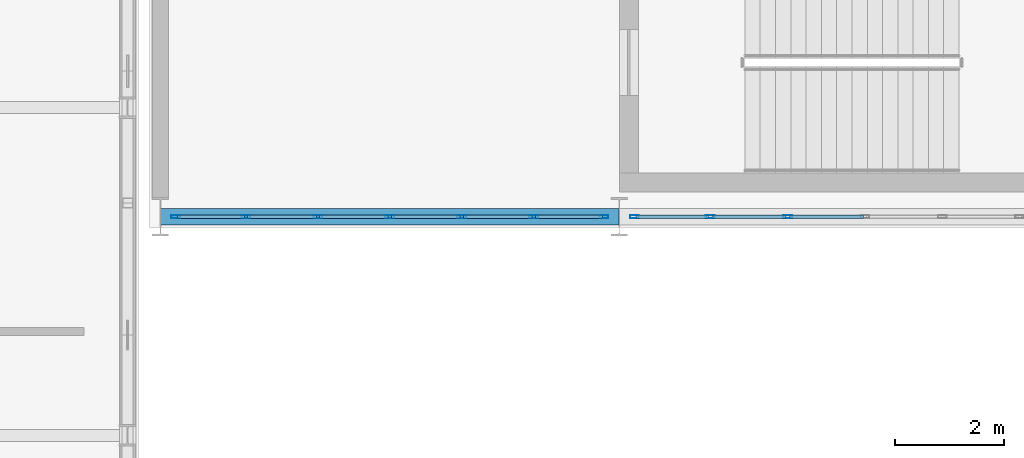
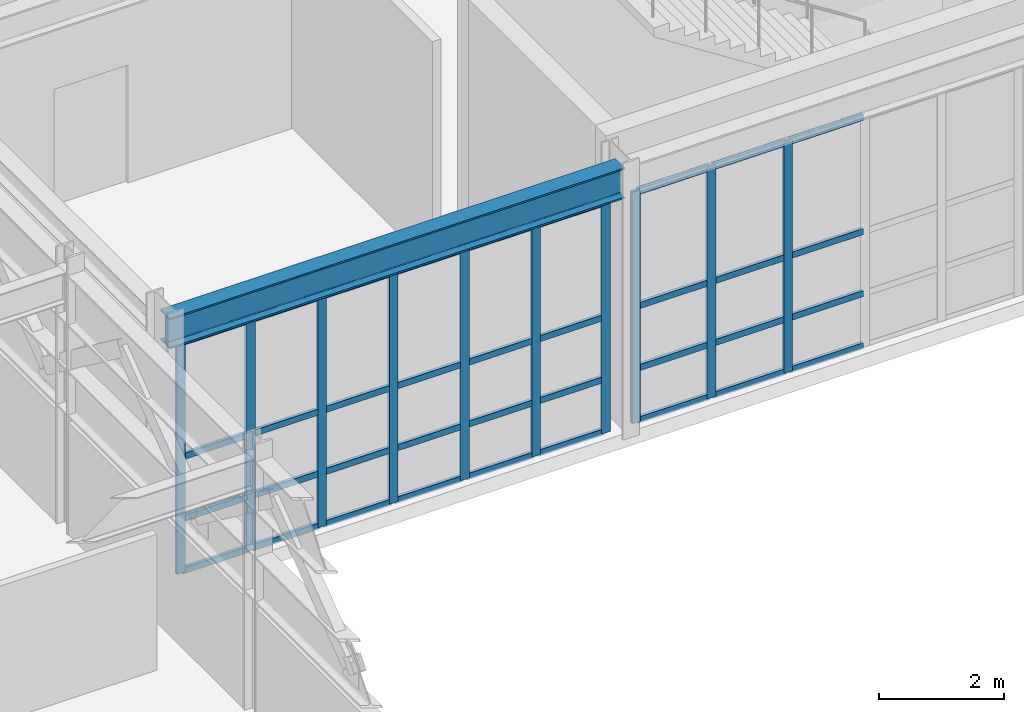
# One storey, part 55 of 210: 46 members, 1 beam, 2 elements without a shape of their own.
"""IFC4 building model written with IfcOpenShell, lengths in metres."""

from ifc_helpers import new_model, si_unit, direction, frame, origin, origin_2d, place, context, subcontext, project, spatial, hollow_rectangle, i_section, extrude, material, material_profile, profile_set, type_object, element, aggregate, save


model = new_model("IFC4")

# Units and contexts
model_context = context("Model", 3, precision=1e-05, world=origin(), true_north=direction((0.0, 1.0)))
body_context = subcontext(model_context, "Body", "Model", "MODEL_VIEW")
ifc_project = project(units=[si_unit("LENGTHUNIT", "METRE"), si_unit("AREAUNIT", "SQUARE_METRE"), si_unit("VOLUMEUNIT", "CUBIC_METRE"), si_unit("PLANEANGLEUNIT", "RADIAN"), si_unit("MASSUNIT", "GRAM", prefix="KILO")], contexts=[model_context])

# Site, building, storey
site_placement = place(None, origin())
site = spatial("IfcSite", under=ifc_project, at=site_placement, CompositionType="ELEMENT")
building_placement = place(site_placement, origin())
building = spatial("IfcBuilding", under=site, at=building_placement, Name="Kaldris Quays Convention Centre", CompositionType="ELEMENT")
storey_placement = place(building_placement, frame((0.0, 0.0, 6.0)))
storey = spatial("IfcBuildingStorey", under=building, at=storey_placement, Name="L01", CompositionType="ELEMENT", Elevation=6.0)

# Curtain wall, members
ifc_material_1 = material(Name="Anodized aluminium AW-6060 and triple glazing", Category="aluminium")
curtain_wall_type = type_object("IfcCurtainWallType", Name="UNITISED CURTAIN WALL CW04", PredefinedType="NOTDEFINED", material=ifc_material_1)
curtain_wall_1_placement = place(storey_placement, origin())
curtain_wall_1 = element("IfcCurtainWall", 1, at=curtain_wall_1_placement, inside=storey, type_object=curtain_wall_type, Name="L01 Unitised Curtain Wall CW04 107", PredefinedType="NOTDEFINED")
ifc_material_2 = material(Name="Anodized aluminium AW-6060", Category="aluminium")
ifc_material_profile_1 = material_profile(ifc_material_2, hollow_rectangle(XDim=0.06005859375, YDim=0.159912109375, WallThickness=0.00390625, at=origin_2d()), Name="RHS 160x60x4")
ifc_profile_set_1 = profile_set([ifc_material_profile_1], Name="Anodized aluminium AW-6060")
member_type_1 = type_object("IfcMemberType", Name="CURTAIN MULLION CWM1", PredefinedType="MULLION", material=ifc_profile_set_1)
member_1_placement = place(storey_placement, frame((83.8798828125, 38.0, 0.0), z_axis=(0.0, 0.0, 1.0), x_axis=(0.0, 1.0, 0.0)))
member_1 = element("IfcMember", 2, at=member_1_placement, type_object=member_type_1, Name="CW04 mullion 1", PredefinedType="MULLION", context=body_context, shape_type="SweptSolid", body=[
    extrude(hollow_rectangle(XDim=0.06005859375, YDim=0.159912109375, WallThickness=0.00390625, at=origin_2d()), origin(), (0.0, 0.0, 1.0), 4.51806640625),
])
member_2_placement = place(storey_placement, frame((85.166748046875, 38.0, 0.0), z_axis=(0.0, 0.0, 1.0), x_axis=(0.0, 1.0, 0.0)))
member_2 = element("IfcMember", 3, at=member_2_placement, type_object=member_type_1, Name="CW04 mullion 2", PredefinedType="MULLION", context=body_context, shape_type="SweptSolid", body=[
    extrude(hollow_rectangle(XDim=0.06005859375, YDim=0.159912109375, WallThickness=0.00390625, at=origin_2d()), origin(), (0.0, 0.0, 1.0), 4.51806640625),
])
member_3_placement = place(storey_placement, frame((86.4833984375, 38.0, 0.0), z_axis=(0.0, 0.0, 1.0), x_axis=(0.0, 1.0, 0.0)))
member_3 = element("IfcMember", 4, at=member_3_placement, type_object=member_type_1, Name="CW04 mullion 3", PredefinedType="MULLION", context=body_context, shape_type="SweptSolid", body=[
    extrude(hollow_rectangle(XDim=0.06005859375, YDim=0.159912109375, WallThickness=0.00390625, at=origin_2d()), origin(), (0.0, 0.0, 1.0), 4.51806640625),
])
member_4_placement = place(storey_placement, frame((87.800048828125, 38.0, 0.0), z_axis=(0.0, 0.0, 1.0), x_axis=(0.0, 1.0, 0.0)))
member_4 = element("IfcMember", 5, at=member_4_placement, type_object=member_type_1, Name="CW04 mullion 4", PredefinedType="MULLION", context=body_context, shape_type="SweptSolid", body=[
    extrude(hollow_rectangle(XDim=0.06005859375, YDim=0.159912109375, WallThickness=0.00390625, at=origin_2d()), origin(), (0.0, 0.0, 1.0), 4.51806640625),
])
member_5_placement = place(storey_placement, frame((89.11669921875, 38.0, 0.0), z_axis=(0.0, 0.0, 1.0), x_axis=(0.0, 1.0, 0.0)))
member_5 = element("IfcMember", 6, at=member_5_placement, type_object=member_type_1, Name="CW04 mullion 5", PredefinedType="MULLION", context=body_context, shape_type="SweptSolid", body=[
    extrude(hollow_rectangle(XDim=0.06005859375, YDim=0.159912109375, WallThickness=0.00390625, at=origin_2d()), origin(), (0.0, 0.0, 1.0), 4.51806640625),
])
member_6_placement = place(storey_placement, frame((90.433349609375, 38.0, 0.0), z_axis=(0.0, 0.0, 1.0), x_axis=(0.0, 1.0, 0.0)))
member_6 = element("IfcMember", 7, at=member_6_placement, type_object=member_type_1, Name="CW04 mullion 6", PredefinedType="MULLION", context=body_context, shape_type="SweptSolid", body=[
    extrude(hollow_rectangle(XDim=0.06005859375, YDim=0.159912109375, WallThickness=0.00390625, at=origin_2d()), origin(), (0.0, 0.0, 1.0), 4.51806640625),
])
member_7_placement = place(storey_placement, frame((91.719970703125, 38.0, 0.0), z_axis=(0.0, 0.0, 1.0), x_axis=(0.0, 1.0, 0.0)))
member_7 = element("IfcMember", 8, at=member_7_placement, type_object=member_type_1, Name="CW04 mullion 7", PredefinedType="MULLION", context=body_context, shape_type="SweptSolid", body=[
    extrude(hollow_rectangle(XDim=0.06005859375, YDim=0.159912109375, WallThickness=0.00390625, at=origin_2d()), origin(), (0.0, 0.0, 1.0), 4.51806640625),
])

curtain_wall_2_placement = place(storey_placement, origin())
curtain_wall_2 = element("IfcCurtainWall", 9, at=curtain_wall_2_placement, inside=storey, type_object=curtain_wall_type, Name="L01 Unitised Curtain Wall CW04 108", PredefinedType="NOTDEFINED")
member_8_placement = place(storey_placement, frame((92.280029296875, 38.0, 0.0), z_axis=(0.0, 0.0, 1.0), x_axis=(0.0, 1.0, 0.0)))
member_8 = element("IfcMember", 10, at=member_8_placement, type_object=member_type_1, Name="CW04 mullion 1", PredefinedType="MULLION", context=body_context, shape_type="SweptSolid", body=[
    extrude(hollow_rectangle(XDim=0.06005859375, YDim=0.159912109375, WallThickness=0.00390625, at=origin_2d()), origin(), (0.0, 0.0, 1.0), 4.51806640625),
])
member_9_placement = place(storey_placement, frame((93.666748046875, 38.0, 0.0), z_axis=(0.0, 0.0, 1.0), x_axis=(0.0, 1.0, 0.0)))
member_9 = element("IfcMember", 11, at=member_9_placement, type_object=member_type_1, Name="CW04 mullion 2", PredefinedType="MULLION", context=body_context, shape_type="SweptSolid", body=[
    extrude(hollow_rectangle(XDim=0.06005859375, YDim=0.159912109375, WallThickness=0.00390625, at=origin_2d()), origin(), (0.0, 0.0, 1.0), 4.51806640625),
])
member_10_placement = place(storey_placement, frame((95.083251953125, 38.0, 0.0), z_axis=(0.0, 0.0, 1.0), x_axis=(0.0, 1.0, 0.0)))
member_10 = element("IfcMember", 12, at=member_10_placement, type_object=member_type_1, Name="CW04 mullion 3", PredefinedType="MULLION", context=body_context, shape_type="SweptSolid", body=[
    extrude(hollow_rectangle(XDim=0.06005859375, YDim=0.159912109375, WallThickness=0.00390625, at=origin_2d()), origin(), (0.0, 0.0, 1.0), 4.51806640625),
])

# Member
ifc_material_profile_2 = material_profile(ifc_material_2, hollow_rectangle(XDim=0.06005859375, YDim=0.1201171875, WallThickness=0.00390625, at=origin_2d()), Name="RHS 120x60x4")
ifc_profile_set_2 = profile_set([ifc_material_profile_2], Name="Anodized aluminium AW-6060")
member_type_2 = type_object("IfcMemberType", Name="CURTAIN TRANSOM CWT1", PredefinedType="USERDEFINED", material=ifc_profile_set_2)
member_11_placement = place(storey_placement, frame((83.909912109375, 38.0, 0.030029296875), z_axis=(1.0, 0.0, 0.0), x_axis=(0.0, 1.0, 0.0)))
member_11 = element("IfcMember", 13, at=member_11_placement, type_object=member_type_2, Name="CW04 transom 1.1", ObjectType="TRANSOM", PredefinedType="USERDEFINED", context=body_context, shape_type="SweptSolid", body=[
    extrude(hollow_rectangle(XDim=0.06005859375, YDim=0.1201171875, WallThickness=0.00390625, at=origin_2d()), origin(), (0.0, 0.0, 1.0), 1.226806640625),
])

member_12_placement = place(storey_placement, frame((83.909912109375, 38.0, 1.050048828125), z_axis=(1.0, 0.0, 0.0), x_axis=(0.0, 1.0, 0.0)))
member_12 = element("IfcMember", 14, at=member_12_placement, type_object=member_type_2, Name="CW04 transom 1.2", ObjectType="TRANSOM", PredefinedType="USERDEFINED", context=body_context, shape_type="SweptSolid", body=[
    extrude(hollow_rectangle(XDim=0.06005859375, YDim=0.1201171875, WallThickness=0.00390625, at=origin_2d()), origin(), (0.0, 0.0, 1.0), 1.226806640625),
])

member_13_placement = place(storey_placement, frame((83.909912109375, 38.0, 2.259033203125), z_axis=(1.0, 0.0, 0.0), x_axis=(0.0, 1.0, 0.0)))
member_13 = element("IfcMember", 15, at=member_13_placement, type_object=member_type_2, Name="CW04 transom 1.3", ObjectType="TRANSOM", PredefinedType="USERDEFINED", context=body_context, shape_type="SweptSolid", body=[
    extrude(hollow_rectangle(XDim=0.06005859375, YDim=0.1201171875, WallThickness=0.00390625, at=origin_2d()), origin(), (0.0, 0.0, 1.0), 1.226806640625),
])

member_14_placement = place(storey_placement, frame((83.909912109375, 38.0, 4.488037109375), z_axis=(1.0, 0.0, 0.0), x_axis=(0.0, 1.0, 0.0)))
member_14 = element("IfcMember", 16, at=member_14_placement, type_object=member_type_2, Name="CW04 transom 1.4", ObjectType="TRANSOM", PredefinedType="USERDEFINED", context=body_context, shape_type="SweptSolid", body=[
    extrude(hollow_rectangle(XDim=0.06005859375, YDim=0.1201171875, WallThickness=0.00390625, at=origin_2d()), origin(), (0.0, 0.0, 1.0), 1.226806640625),
])

member_15_placement = place(storey_placement, frame((85.19677734375, 38.0, 0.030029296875), z_axis=(1.0, 0.0, 0.0), x_axis=(0.0, 1.0, 0.0)))
member_15 = element("IfcMember", 17, at=member_15_placement, type_object=member_type_2, Name="CW04 transom 2.1", ObjectType="TRANSOM", PredefinedType="USERDEFINED", context=body_context, shape_type="SweptSolid", body=[
    extrude(hollow_rectangle(XDim=0.06005859375, YDim=0.1201171875, WallThickness=0.00390625, at=origin_2d()), origin(), (0.0, 0.0, 1.0), 1.256591796875),
])

member_16_placement = place(storey_placement, frame((85.19677734375, 38.0, 1.050048828125), z_axis=(1.0, 0.0, 0.0), x_axis=(0.0, 1.0, 0.0)))
member_16 = element("IfcMember", 18, at=member_16_placement, type_object=member_type_2, Name="CW04 transom 2.2", ObjectType="TRANSOM", PredefinedType="USERDEFINED", context=body_context, shape_type="SweptSolid", body=[
    extrude(hollow_rectangle(XDim=0.06005859375, YDim=0.1201171875, WallThickness=0.00390625, at=origin_2d()), origin(), (0.0, 0.0, 1.0), 1.256591796875),
])

member_17_placement = place(storey_placement, frame((85.19677734375, 38.0, 2.259033203125), z_axis=(1.0, 0.0, 0.0), x_axis=(0.0, 1.0, 0.0)))
member_17 = element("IfcMember", 19, at=member_17_placement, type_object=member_type_2, Name="CW04 transom 2.3", ObjectType="TRANSOM", PredefinedType="USERDEFINED", context=body_context, shape_type="SweptSolid", body=[
    extrude(hollow_rectangle(XDim=0.06005859375, YDim=0.1201171875, WallThickness=0.00390625, at=origin_2d()), origin(), (0.0, 0.0, 1.0), 1.256591796875),
])

member_18_placement = place(storey_placement, frame((85.19677734375, 38.0, 4.488037109375), z_axis=(1.0, 0.0, 0.0), x_axis=(0.0, 1.0, 0.0)))
member_18 = element("IfcMember", 20, at=member_18_placement, type_object=member_type_2, Name="CW04 transom 2.4", ObjectType="TRANSOM", PredefinedType="USERDEFINED", context=body_context, shape_type="SweptSolid", body=[
    extrude(hollow_rectangle(XDim=0.06005859375, YDim=0.1201171875, WallThickness=0.00390625, at=origin_2d()), origin(), (0.0, 0.0, 1.0), 1.256591796875),
])

member_19_placement = place(storey_placement, frame((86.513427734375, 38.0, 0.030029296875), z_axis=(1.0, 0.0, 0.0), x_axis=(0.0, 1.0, 0.0)))
member_19 = element("IfcMember", 21, at=member_19_placement, type_object=member_type_2, Name="CW04 transom 3.1", ObjectType="TRANSOM", PredefinedType="USERDEFINED", context=body_context, shape_type="SweptSolid", body=[
    extrude(hollow_rectangle(XDim=0.06005859375, YDim=0.1201171875, WallThickness=0.00390625, at=origin_2d()), origin(), (0.0, 0.0, 1.0), 1.256591796875),
])

member_20_placement = place(storey_placement, frame((86.513427734375, 38.0, 1.050048828125), z_axis=(1.0, 0.0, 0.0), x_axis=(0.0, 1.0, 0.0)))
member_20 = element("IfcMember", 22, at=member_20_placement, type_object=member_type_2, Name="CW04 transom 3.2", ObjectType="TRANSOM", PredefinedType="USERDEFINED", context=body_context, shape_type="SweptSolid", body=[
    extrude(hollow_rectangle(XDim=0.06005859375, YDim=0.1201171875, WallThickness=0.00390625, at=origin_2d()), origin(), (0.0, 0.0, 1.0), 1.256591796875),
])

member_21_placement = place(storey_placement, frame((86.513427734375, 38.0, 2.259033203125), z_axis=(1.0, 0.0, 0.0), x_axis=(0.0, 1.0, 0.0)))
member_21 = element("IfcMember", 23, at=member_21_placement, type_object=member_type_2, Name="CW04 transom 3.3", ObjectType="TRANSOM", PredefinedType="USERDEFINED", context=body_context, shape_type="SweptSolid", body=[
    extrude(hollow_rectangle(XDim=0.06005859375, YDim=0.1201171875, WallThickness=0.00390625, at=origin_2d()), origin(), (0.0, 0.0, 1.0), 1.256591796875),
])

member_22_placement = place(storey_placement, frame((86.513427734375, 38.0, 4.488037109375), z_axis=(1.0, 0.0, 0.0), x_axis=(0.0, 1.0, 0.0)))
member_22 = element("IfcMember", 24, at=member_22_placement, type_object=member_type_2, Name="CW04 transom 3.4", ObjectType="TRANSOM", PredefinedType="USERDEFINED", context=body_context, shape_type="SweptSolid", body=[
    extrude(hollow_rectangle(XDim=0.06005859375, YDim=0.1201171875, WallThickness=0.00390625, at=origin_2d()), origin(), (0.0, 0.0, 1.0), 1.256591796875),
])

member_23_placement = place(storey_placement, frame((87.830078125, 38.0, 0.030029296875), z_axis=(1.0, 0.0, 0.0), x_axis=(0.0, 1.0, 0.0)))
member_23 = element("IfcMember", 25, at=member_23_placement, type_object=member_type_2, Name="CW04 transom 4.1", ObjectType="TRANSOM", PredefinedType="USERDEFINED", context=body_context, shape_type="SweptSolid", body=[
    extrude(hollow_rectangle(XDim=0.06005859375, YDim=0.1201171875, WallThickness=0.00390625, at=origin_2d()), origin(), (0.0, 0.0, 1.0), 1.256591796875),
])

member_24_placement = place(storey_placement, frame((87.830078125, 38.0, 1.050048828125), z_axis=(1.0, 0.0, 0.0), x_axis=(0.0, 1.0, 0.0)))
member_24 = element("IfcMember", 26, at=member_24_placement, type_object=member_type_2, Name="CW04 transom 4.2", ObjectType="TRANSOM", PredefinedType="USERDEFINED", context=body_context, shape_type="SweptSolid", body=[
    extrude(hollow_rectangle(XDim=0.06005859375, YDim=0.1201171875, WallThickness=0.00390625, at=origin_2d()), origin(), (0.0, 0.0, 1.0), 1.256591796875),
])

member_25_placement = place(storey_placement, frame((87.830078125, 38.0, 2.259033203125), z_axis=(1.0, 0.0, 0.0), x_axis=(0.0, 1.0, 0.0)))
member_25 = element("IfcMember", 27, at=member_25_placement, type_object=member_type_2, Name="CW04 transom 4.3", ObjectType="TRANSOM", PredefinedType="USERDEFINED", context=body_context, shape_type="SweptSolid", body=[
    extrude(hollow_rectangle(XDim=0.06005859375, YDim=0.1201171875, WallThickness=0.00390625, at=origin_2d()), origin(), (0.0, 0.0, 1.0), 1.256591796875),
])

member_26_placement = place(storey_placement, frame((87.830078125, 38.0, 4.488037109375), z_axis=(1.0, 0.0, 0.0), x_axis=(0.0, 1.0, 0.0)))
member_26 = element("IfcMember", 28, at=member_26_placement, type_object=member_type_2, Name="CW04 transom 4.4", ObjectType="TRANSOM", PredefinedType="USERDEFINED", context=body_context, shape_type="SweptSolid", body=[
    extrude(hollow_rectangle(XDim=0.06005859375, YDim=0.1201171875, WallThickness=0.00390625, at=origin_2d()), origin(), (0.0, 0.0, 1.0), 1.256591796875),
])

member_27_placement = place(storey_placement, frame((89.146728515625, 38.0, 0.030029296875), z_axis=(1.0, 0.0, 0.0), x_axis=(0.0, 1.0, 0.0)))
member_27 = element("IfcMember", 29, at=member_27_placement, type_object=member_type_2, Name="CW04 transom 5.1", ObjectType="TRANSOM", PredefinedType="USERDEFINED", context=body_context, shape_type="SweptSolid", body=[
    extrude(hollow_rectangle(XDim=0.06005859375, YDim=0.1201171875, WallThickness=0.00390625, at=origin_2d()), origin(), (0.0, 0.0, 1.0), 1.256591796875),
])

member_28_placement = place(storey_placement, frame((89.146728515625, 38.0, 1.050048828125), z_axis=(1.0, 0.0, 0.0), x_axis=(0.0, 1.0, 0.0)))
member_28 = element("IfcMember", 30, at=member_28_placement, type_object=member_type_2, Name="CW04 transom 5.2", ObjectType="TRANSOM", PredefinedType="USERDEFINED", context=body_context, shape_type="SweptSolid", body=[
    extrude(hollow_rectangle(XDim=0.06005859375, YDim=0.1201171875, WallThickness=0.00390625, at=origin_2d()), origin(), (0.0, 0.0, 1.0), 1.256591796875),
])

member_29_placement = place(storey_placement, frame((89.146728515625, 38.0, 2.259033203125), z_axis=(1.0, 0.0, 0.0), x_axis=(0.0, 1.0, 0.0)))
member_29 = element("IfcMember", 31, at=member_29_placement, type_object=member_type_2, Name="CW04 transom 5.3", ObjectType="TRANSOM", PredefinedType="USERDEFINED", context=body_context, shape_type="SweptSolid", body=[
    extrude(hollow_rectangle(XDim=0.06005859375, YDim=0.1201171875, WallThickness=0.00390625, at=origin_2d()), origin(), (0.0, 0.0, 1.0), 1.256591796875),
])

member_30_placement = place(storey_placement, frame((89.146728515625, 38.0, 4.488037109375), z_axis=(1.0, 0.0, 0.0), x_axis=(0.0, 1.0, 0.0)))
member_30 = element("IfcMember", 32, at=member_30_placement, type_object=member_type_2, Name="CW04 transom 5.4", ObjectType="TRANSOM", PredefinedType="USERDEFINED", context=body_context, shape_type="SweptSolid", body=[
    extrude(hollow_rectangle(XDim=0.06005859375, YDim=0.1201171875, WallThickness=0.00390625, at=origin_2d()), origin(), (0.0, 0.0, 1.0), 1.256591796875),
])

member_31_placement = place(storey_placement, frame((90.46337890625, 38.0, 0.030029296875), z_axis=(1.0, 0.0, 0.0), x_axis=(0.0, 1.0, 0.0)))
member_31 = element("IfcMember", 33, at=member_31_placement, type_object=member_type_2, Name="CW04 transom 6.1", ObjectType="TRANSOM", PredefinedType="USERDEFINED", context=body_context, shape_type="SweptSolid", body=[
    extrude(hollow_rectangle(XDim=0.06005859375, YDim=0.1201171875, WallThickness=0.00390625, at=origin_2d()), origin(), (0.0, 0.0, 1.0), 1.2265625),
])

member_32_placement = place(storey_placement, frame((90.46337890625, 38.0, 1.050048828125), z_axis=(1.0, 0.0, 0.0), x_axis=(0.0, 1.0, 0.0)))
member_32 = element("IfcMember", 34, at=member_32_placement, type_object=member_type_2, Name="CW04 transom 6.2", ObjectType="TRANSOM", PredefinedType="USERDEFINED", context=body_context, shape_type="SweptSolid", body=[
    extrude(hollow_rectangle(XDim=0.06005859375, YDim=0.1201171875, WallThickness=0.00390625, at=origin_2d()), origin(), (0.0, 0.0, 1.0), 1.2265625),
])

member_33_placement = place(storey_placement, frame((90.46337890625, 38.0, 2.259033203125), z_axis=(1.0, 0.0, 0.0), x_axis=(0.0, 1.0, 0.0)))
member_33 = element("IfcMember", 35, at=member_33_placement, type_object=member_type_2, Name="CW04 transom 6.3", ObjectType="TRANSOM", PredefinedType="USERDEFINED", context=body_context, shape_type="SweptSolid", body=[
    extrude(hollow_rectangle(XDim=0.06005859375, YDim=0.1201171875, WallThickness=0.00390625, at=origin_2d()), origin(), (0.0, 0.0, 1.0), 1.2265625),
])

member_34_placement = place(storey_placement, frame((90.46337890625, 38.0, 4.488037109375), z_axis=(1.0, 0.0, 0.0), x_axis=(0.0, 1.0, 0.0)))
member_34 = element("IfcMember", 36, at=member_34_placement, type_object=member_type_2, Name="CW04 transom 6.4", ObjectType="TRANSOM", PredefinedType="USERDEFINED", context=body_context, shape_type="SweptSolid", body=[
    extrude(hollow_rectangle(XDim=0.06005859375, YDim=0.1201171875, WallThickness=0.00390625, at=origin_2d()), origin(), (0.0, 0.0, 1.0), 1.2265625),
])

aggregate(curtain_wall_1, [member_1, member_2, member_3, member_4, member_5, member_6, member_7, member_11, member_12, member_13, member_14, member_15, member_16, member_17, member_18, member_19, member_20, member_21, member_22, member_23, member_24, member_25, member_26, member_27, member_28, member_29, member_30, member_31, member_32, member_33, member_34])

member_35_placement = place(storey_placement, frame((92.31005859375, 38.0, 0.030029296875), z_axis=(1.0, 0.0, 0.0), x_axis=(0.0, 1.0, 0.0)))
member_35 = element("IfcMember", 37, at=member_35_placement, type_object=member_type_2, Name="CW04 transom 1.1", ObjectType="TRANSOM", PredefinedType="USERDEFINED", context=body_context, shape_type="SweptSolid", body=[
    extrude(hollow_rectangle(XDim=0.06005859375, YDim=0.1201171875, WallThickness=0.00390625, at=origin_2d()), origin(), (0.0, 0.0, 1.0), 1.32666015625),
])

member_36_placement = place(storey_placement, frame((92.31005859375, 38.0, 1.050048828125), z_axis=(1.0, 0.0, 0.0), x_axis=(0.0, 1.0, 0.0)))
member_36 = element("IfcMember", 38, at=member_36_placement, type_object=member_type_2, Name="CW04 transom 1.2", ObjectType="TRANSOM", PredefinedType="USERDEFINED", context=body_context, shape_type="SweptSolid", body=[
    extrude(hollow_rectangle(XDim=0.06005859375, YDim=0.1201171875, WallThickness=0.00390625, at=origin_2d()), origin(), (0.0, 0.0, 1.0), 1.32666015625),
])

member_37_placement = place(storey_placement, frame((92.31005859375, 38.0, 2.259033203125), z_axis=(1.0, 0.0, 0.0), x_axis=(0.0, 1.0, 0.0)))
member_37 = element("IfcMember", 39, at=member_37_placement, type_object=member_type_2, Name="CW04 transom 1.3", ObjectType="TRANSOM", PredefinedType="USERDEFINED", context=body_context, shape_type="SweptSolid", body=[
    extrude(hollow_rectangle(XDim=0.06005859375, YDim=0.1201171875, WallThickness=0.00390625, at=origin_2d()), origin(), (0.0, 0.0, 1.0), 1.32666015625),
])

member_38_placement = place(storey_placement, frame((92.31005859375, 38.0, 4.488037109375), z_axis=(1.0, 0.0, 0.0), x_axis=(0.0, 1.0, 0.0)))
member_38 = element("IfcMember", 40, at=member_38_placement, type_object=member_type_2, Name="CW04 transom 1.4", ObjectType="TRANSOM", PredefinedType="USERDEFINED", context=body_context, shape_type="SweptSolid", body=[
    extrude(hollow_rectangle(XDim=0.06005859375, YDim=0.1201171875, WallThickness=0.00390625, at=origin_2d()), origin(), (0.0, 0.0, 1.0), 1.32666015625),
])

member_39_placement = place(storey_placement, frame((93.69677734375, 38.0, 0.030029296875), z_axis=(1.0, 0.0, 0.0), x_axis=(0.0, 1.0, 0.0)))
member_39 = element("IfcMember", 41, at=member_39_placement, type_object=member_type_2, Name="CW04 transom 2.1", ObjectType="TRANSOM", PredefinedType="USERDEFINED", context=body_context, shape_type="SweptSolid", body=[
    extrude(hollow_rectangle(XDim=0.06005859375, YDim=0.1201171875, WallThickness=0.00390625, at=origin_2d()), origin(), (0.0, 0.0, 1.0), 1.3564453125),
])

member_40_placement = place(storey_placement, frame((93.69677734375, 38.0, 1.050048828125), z_axis=(1.0, 0.0, 0.0), x_axis=(0.0, 1.0, 0.0)))
member_40 = element("IfcMember", 42, at=member_40_placement, type_object=member_type_2, Name="CW04 transom 2.2", ObjectType="TRANSOM", PredefinedType="USERDEFINED", context=body_context, shape_type="SweptSolid", body=[
    extrude(hollow_rectangle(XDim=0.06005859375, YDim=0.1201171875, WallThickness=0.00390625, at=origin_2d()), origin(), (0.0, 0.0, 1.0), 1.3564453125),
])

member_41_placement = place(storey_placement, frame((93.69677734375, 38.0, 2.259033203125), z_axis=(1.0, 0.0, 0.0), x_axis=(0.0, 1.0, 0.0)))
member_41 = element("IfcMember", 43, at=member_41_placement, type_object=member_type_2, Name="CW04 transom 2.3", ObjectType="TRANSOM", PredefinedType="USERDEFINED", context=body_context, shape_type="SweptSolid", body=[
    extrude(hollow_rectangle(XDim=0.06005859375, YDim=0.1201171875, WallThickness=0.00390625, at=origin_2d()), origin(), (0.0, 0.0, 1.0), 1.3564453125),
])

member_42_placement = place(storey_placement, frame((93.69677734375, 38.0, 4.488037109375), z_axis=(1.0, 0.0, 0.0), x_axis=(0.0, 1.0, 0.0)))
member_42 = element("IfcMember", 44, at=member_42_placement, type_object=member_type_2, Name="CW04 transom 2.4", ObjectType="TRANSOM", PredefinedType="USERDEFINED", context=body_context, shape_type="SweptSolid", body=[
    extrude(hollow_rectangle(XDim=0.06005859375, YDim=0.1201171875, WallThickness=0.00390625, at=origin_2d()), origin(), (0.0, 0.0, 1.0), 1.3564453125),
])

member_43_placement = place(storey_placement, frame((95.11328125, 38.0, 0.030029296875), z_axis=(1.0, 0.0, 0.0), x_axis=(0.0, 1.0, 0.0)))
member_43 = element("IfcMember", 45, at=member_43_placement, type_object=member_type_2, Name="CW04 transom 3.1", ObjectType="TRANSOM", PredefinedType="USERDEFINED", context=body_context, shape_type="SweptSolid", body=[
    extrude(hollow_rectangle(XDim=0.06005859375, YDim=0.1201171875, WallThickness=0.00390625, at=origin_2d()), origin(), (0.0, 0.0, 1.0), 1.356689453125),
])

member_44_placement = place(storey_placement, frame((95.11328125, 38.0, 1.050048828125), z_axis=(1.0, 0.0, 0.0), x_axis=(0.0, 1.0, 0.0)))
member_44 = element("IfcMember", 46, at=member_44_placement, type_object=member_type_2, Name="CW04 transom 3.2", ObjectType="TRANSOM", PredefinedType="USERDEFINED", context=body_context, shape_type="SweptSolid", body=[
    extrude(hollow_rectangle(XDim=0.06005859375, YDim=0.1201171875, WallThickness=0.00390625, at=origin_2d()), origin(), (0.0, 0.0, 1.0), 1.356689453125),
])

member_45_placement = place(storey_placement, frame((95.11328125, 38.0, 2.259033203125), z_axis=(1.0, 0.0, 0.0), x_axis=(0.0, 1.0, 0.0)))
member_45 = element("IfcMember", 47, at=member_45_placement, type_object=member_type_2, Name="CW04 transom 3.3", ObjectType="TRANSOM", PredefinedType="USERDEFINED", context=body_context, shape_type="SweptSolid", body=[
    extrude(hollow_rectangle(XDim=0.06005859375, YDim=0.1201171875, WallThickness=0.00390625, at=origin_2d()), origin(), (0.0, 0.0, 1.0), 1.356689453125),
])

member_46_placement = place(storey_placement, frame((95.11328125, 38.0, 4.488037109375), z_axis=(1.0, 0.0, 0.0), x_axis=(0.0, 1.0, 0.0)))
member_46 = element("IfcMember", 48, at=member_46_placement, type_object=member_type_2, Name="CW04 transom 3.4", ObjectType="TRANSOM", PredefinedType="USERDEFINED", context=body_context, shape_type="SweptSolid", body=[
    extrude(hollow_rectangle(XDim=0.06005859375, YDim=0.1201171875, WallThickness=0.00390625, at=origin_2d()), origin(), (0.0, 0.0, 1.0), 1.356689453125),
])

aggregate(curtain_wall_2, [member_8, member_9, member_10, member_35, member_36, member_37, member_38, member_39, member_40, member_41, member_42, member_43, member_44, member_45, member_46])

# Beam
ifc_material_3 = material(Name="Steel S355J2", Category="steel")
ifc_material_profile_3 = material_profile(ifc_material_3, i_section(OverallWidth=0.300048828125, OverallDepth=0.60009765625, WebThickness=0.015380859375, FlangeThickness=0.030029296875, FilletRadius=0.027099609375, at=origin_2d()), Name="HEB 600")
ifc_profile_set_3 = profile_set([ifc_material_profile_3], Name="Steel S355J2")
beam_type = type_object("IfcBeamType", Name="STRUCTURAL BEAM BM05", PredefinedType="BEAM", material=ifc_profile_set_3)
beam_placement = place(storey_placement, frame((83.6025390625, 38.0, 4.843017578125), z_axis=(1.0, 0.0, 0.0), x_axis=(0.0, 1.0, 0.0)))
element("IfcBeam", 49, at=beam_placement, inside=storey, type_object=beam_type, Name="L01 Girder BM05 1", PredefinedType="BEAM", context=body_context, shape_type="SweptSolid", body=[
    extrude(i_section(OverallWidth=0.300048828125, OverallDepth=0.60009765625, WebThickness=0.015380859375, FlangeThickness=0.030029296875, FilletRadius=0.027099609375, at=origin_2d()), origin(), (0.0, 0.0, 1.0), 8.39501953125),
])

save(model, "model.ifc")
